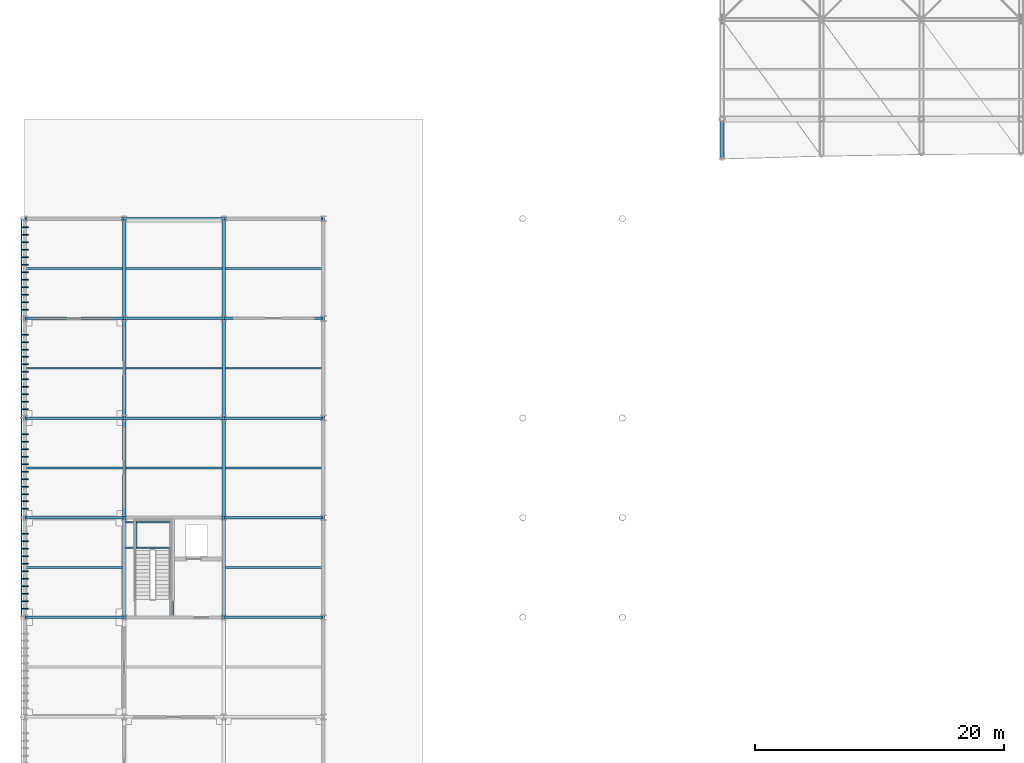
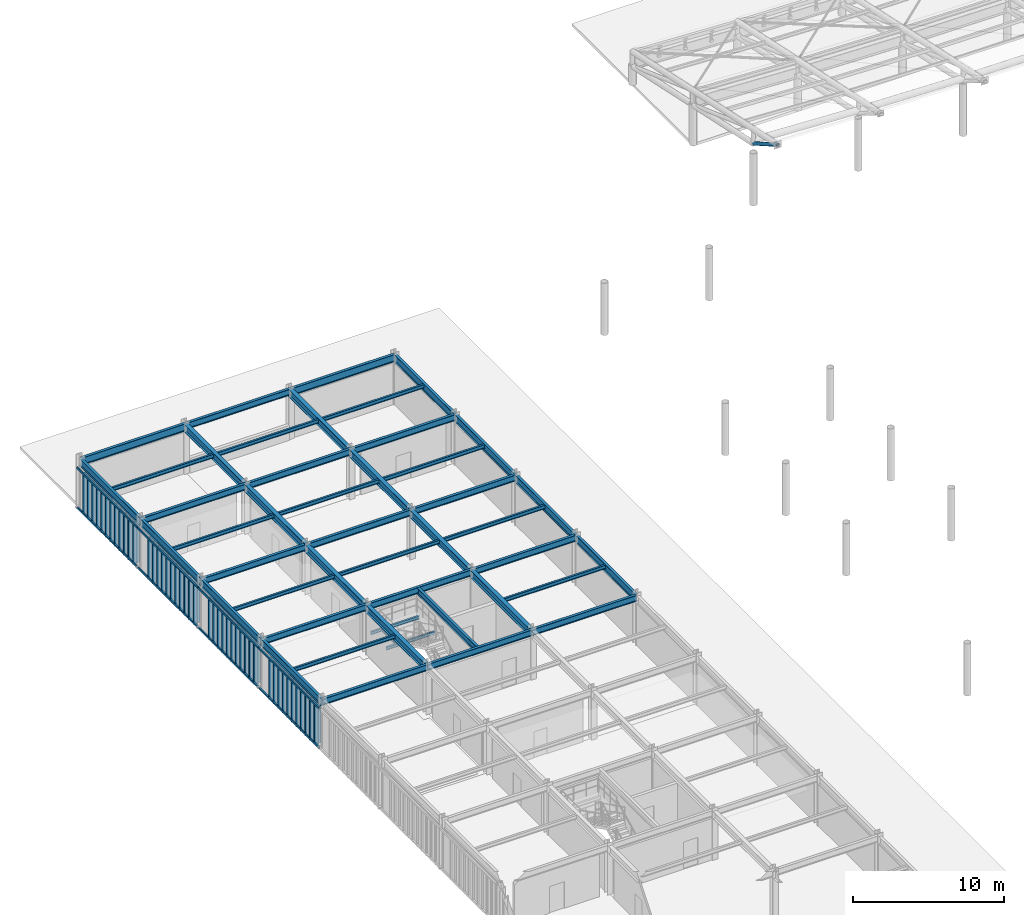
# One storey, part 14 of 54: 54 members, 46 beams.
"""IFC4 building model written with IfcOpenShell, lengths in metres."""

from ifc_helpers import new_model, si_unit, direction, frame, origin, origin_2d, place, context, subcontext, project, spatial, rectangle, hollow_rectangle, hollow_circle, i_section, extrude, material, material_profile, profile_set, type_object, element, save


model = new_model("IFC4")

# Units and contexts
model_context = context("Model", 3, precision=1e-05, world=origin(), true_north=direction((0.0, 1.0)))
body_context = subcontext(model_context, "Body", "Model", "MODEL_VIEW")
ifc_project = project(units=[si_unit("LENGTHUNIT", "METRE"), si_unit("AREAUNIT", "SQUARE_METRE"), si_unit("VOLUMEUNIT", "CUBIC_METRE"), si_unit("PLANEANGLEUNIT", "RADIAN"), si_unit("MASSUNIT", "GRAM", prefix="KILO")], contexts=[model_context])

# Site, building, storey
site_placement = place(None, origin())
site = spatial("IfcSite", under=ifc_project, at=site_placement, CompositionType="ELEMENT")
building_placement = place(site_placement, origin())
building = spatial("IfcBuilding", under=site, at=building_placement, Name="Haebicheon Civic Stadium", CompositionType="ELEMENT")
storey_placement = place(building_placement, frame((0.0, 0.0, 22.800048828125)))
storey = spatial("IfcBuildingStorey", under=building, at=storey_placement, Name="L06", CompositionType="ELEMENT", Elevation=22.800048828125)

# Beams
ifc_material_1 = material(Name="Steel SM355 (S355)", Category="steel")
ifc_material_profile_1 = material_profile(ifc_material_1, i_section(OverallWidth=0.199951171875, OverallDepth=0.5, WebThickness=0.010009765625, FlangeThickness=0.01611328125, at=origin_2d()), Name="H-500x200x10x16")
ifc_profile_set_1 = profile_set([ifc_material_profile_1], Name="Steel SM355 (S355)")
beam_type_1 = type_object("IfcBeamType", Name="BM-ST-H500", PredefinedType="BEAM", material=ifc_profile_set_1)
for number, where, z_axis, x_axis, name in (
    (1, (24.0, 104.0, 3.699951171875), (1.0, 0.0, 0.0), (0.0, 1.0, 0.0), "L06 beam P/4-5"),
    (2, (24.0, 112.0, 3.699951171875), (1.0, 0.0, 0.0), (0.0, 1.0, 0.0), "L06 beam Q/4-5"),
    (3, (24.0, 120.0, 3.699951171875), (1.0, 0.0, 0.0), (0.0, 1.0, 0.0), "L06 beam R/4-5"),
    (4, (24.0, 128.0, 3.72998046875), (1.0, 0.0, 0.0), (0.0, 1.0, 0.0), "L06 beam S/4-5"),
    (5, (32.0, 104.0, 3.699951171875), (1.0, 0.0, 0.0), (0.0, 1.0, 0.0), "L06 beam P/5-6"),
    (6, (32.0, 112.0, 3.699951171875), (1.0, 0.0, 0.0), (0.0, 1.0, 0.0), "L06 beam Q/5-6"),
    (7, (32.0, 120.0, 3.699951171875), (1.0, 0.0, 0.0), (0.0, 1.0, 0.0), "L06 beam R/5-6"),
    (8, (32.0, 128.0, 3.72998046875), (1.0, 0.0, 0.0), (0.0, 1.0, 0.0), "L06 beam S/5-6"),
    (9, (32.0, 136.0, 3.72998046875), (1.0, 0.0, 0.0), (0.0, 1.0, 0.0), "L06 beam T/5-6"),
    (10, (40.0, 104.0, 3.699951171875), (1.0, 0.0, 0.0), (0.0, 1.0, 0.0), "L06 beam P/6-7"),
    (11, (40.0, 112.0, 3.699951171875), (1.0, 0.0, 0.0), (0.0, 1.0, 0.0), "L06 beam Q/6-7"),
    (12, (40.0, 120.0, 3.699951171875), (1.0, 0.0, 0.0), (0.0, 1.0, 0.0), "L06 beam R/6-7"),
    (13, (40.0, 128.0, 3.72998046875), (1.0, 0.0, 0.0), (0.0, 1.0, 0.0), "L06 beam S/6-7"),
):
    element("IfcBeam", number, at=place(storey_placement, frame(where, z_axis=z_axis, x_axis=x_axis)), inside=storey, type_object=beam_type_1, material=ifc_profile_set_1, Name=name, PredefinedType="BEAM", context=body_context, shape_type="SweptSolid", body=[
        extrude(i_section(OverallWidth=0.199951171875, OverallDepth=0.5, WebThickness=0.010009765625, FlangeThickness=0.01611328125, at=origin_2d()), origin(), (0.0, 0.0, 1.0), 8.0),
    ])
beam_1_placement = place(storey_placement, frame((35.8798828125, 104.10009765625, 3.699951171875), z_axis=(0.0, 1.0, 0.0), x_axis=(-1.0, 0.0, 0.0)))
element("IfcBeam", 14, at=beam_1_placement, inside=storey, type_object=beam_type_1, material=ifc_profile_set_1, Name="L06 KC-04 core dividing wall support beam", PredefinedType="BEAM", context=body_context, shape_type="SweptSolid", body=[
    extrude(i_section(OverallWidth=0.199951171875, OverallDepth=0.5, WebThickness=0.010009765625, FlangeThickness=0.01611328125, at=origin_2d()), origin(), (0.0, 0.0, 1.0), 7.7998046875),
])
ifc_material_2 = material(Name="Steel SM355 (S355)", Category="steel")
ifc_material_profile_2 = material_profile(ifc_material_2, i_section(OverallWidth=0.300048828125, OverallDepth=0.60009765625, WebThickness=0.011962890625, FlangeThickness=0.02001953125, at=origin_2d()), Name="H-600x300x12x20")
ifc_profile_set_2 = profile_set([ifc_material_profile_2], Name="Steel SM355 (S355)")
beam_type_2 = type_object("IfcBeamType", Name="BM-ST-H600A", PredefinedType="BEAM", material=ifc_profile_set_2)
for number, where, z_axis, x_axis, name in (
    (15, (32.0, 104.0, 3.64990234375), (0.0, 1.0, 0.0), (-1.0, 0.0, 0.0), "L06 girder 5/P-Q"),
    (16, (32.0, 112.0, 3.64990234375), (0.0, 1.0, 0.0), (-1.0, 0.0, 0.0), "L06 girder 5/Q-R"),
    (17, (32.0, 120.0, 3.679931640625), (0.0, 1.0, 0.0), (-1.0, 0.0, 0.0), "L06 girder 5/R-S"),
    (18, (32.0, 128.0, 3.679931640625), (0.0, 1.0, 0.0), (-1.0, 0.0, 0.0), "L06 girder 5/S-T"),
    (19, (40.0, 104.0, 3.64990234375), (0.0, 1.0, 0.0), (-1.0, 0.0, 0.0), "L06 girder 6/P-Q"),
    (20, (40.0, 112.0, 3.64990234375), (0.0, 1.0, 0.0), (-1.0, 0.0, 0.0), "L06 girder 6/Q-R"),
    (21, (40.0, 120.0, 3.679931640625), (0.0, 1.0, 0.0), (-1.0, 0.0, 0.0), "L06 girder 6/R-S"),
    (22, (40.0, 128.0, 3.679931640625), (0.0, 1.0, 0.0), (-1.0, 0.0, 0.0), "L06 girder 6/S-T"),
):
    element("IfcBeam", number, at=place(storey_placement, frame(where, z_axis=z_axis, x_axis=x_axis)), inside=storey, type_object=beam_type_2, material=ifc_profile_set_2, Name=name, PredefinedType="BEAM", context=body_context, shape_type="SweptSolid", body=[
        extrude(i_section(OverallWidth=0.300048828125, OverallDepth=0.60009765625, WebThickness=0.011962890625, FlangeThickness=0.02001953125, at=origin_2d()), origin(), (0.0, 0.0, 1.0), 8.0),
    ])

# Member
ifc_material_3 = material(Name="White painted steel SM490", Category="steel")
ifc_material_profile_3 = material_profile(ifc_material_3, hollow_circle(Radius=0.1337890625, WallThickness=0.011962890625, at=origin_2d()), Name="CHS-267.4x12.0")
ifc_profile_set_3 = profile_set([ifc_material_profile_3], Name="White painted steel SM490")
member_type_1 = type_object("IfcMemberType", Name="BRC-CHS267", PredefinedType="BRACE", material=ifc_profile_set_3)
member_placement = place(storey_placement, frame((80.0, 143.87890625, 4.947021484375), z_axis=(0.0, -0.867212955161, 0.497937436232), x_axis=(1.0, 0.0, 0.0)))
element("IfcMember", 23, at=member_placement, inside=storey, type_object=member_type_1, material=ifc_profile_set_3, Name="BR267 diagonal brace CAN-NORTH truss 1 tip", PredefinedType="BRACE", context=body_context, shape_type="SweptSolid", body=[
    extrude(hollow_circle(Radius=0.1337890625, WallThickness=0.011962890625, at=origin_2d()), origin(), (0.0, 0.0, 1.0), 3.55029296875),
])

# Beams
ifc_material_4 = material(Name="Steel SM355 (S355)", Category="steel")
ifc_material_profile_4 = material_profile(ifc_material_4, i_section(OverallWidth=0.125, OverallDepth=0.25, WebThickness=0.006103515625, FlangeThickness=0.009033203125, at=origin_2d()), Name="H-250x125x6x9")
ifc_profile_set_4 = profile_set([ifc_material_profile_4], Name="Steel SM355 (S355)")
beam_type_3 = type_object("IfcBeamType", Name="JST-ST-H250", PredefinedType="JOIST", material=ifc_profile_set_4)
for number, where, z_axis, x_axis, name in (
    (24, (32.080078125, 109.570068359375, 1.77197265625), (1.0, 0.0, 0.0), (0.0, 1.0, 0.0), "KC-04 L06 stair half-landing front trimmer beam"),
    (25, (32.080078125, 111.6201171875, 1.77197265625), (1.0, 0.0, 0.0), (0.0, 1.0, 0.0), "KC-04 L06 stair half-landing rear trimmer beam"),
):
    element("IfcBeam", number, at=place(storey_placement, frame(where, z_axis=z_axis, x_axis=x_axis)), inside=storey, type_object=beam_type_3, material=ifc_profile_set_4, Name=name, PredefinedType="JOIST", context=body_context, shape_type="SweptSolid", body=[
        extrude(i_section(OverallWidth=0.125, OverallDepth=0.25, WebThickness=0.006103515625, FlangeThickness=0.009033203125, at=origin_2d()), origin(), (0.0, 0.0, 1.0), 3.719970703125),
    ])
beam_2_placement = place(storey_placement, frame((32.9599609375, 109.570068359375, 1.77197265625), z_axis=(0.0, 1.0, 0.0), x_axis=(-1.0, 0.0, 0.0)))
element("IfcBeam", 26, at=beam_2_placement, inside=storey, type_object=beam_type_3, material=ifc_profile_set_4, Name="KC-04 L06 stair half-landing transverse tie beam", PredefinedType="JOIST", context=body_context, shape_type="SweptSolid", body=[
    extrude(i_section(OverallWidth=0.125, OverallDepth=0.25, WebThickness=0.006103515625, FlangeThickness=0.009033203125, at=origin_2d()), origin(), (0.0, 0.0, 1.0), 2.050048828125),
])
ifc_material_5 = material(Name="Steel SM355 (S355)", Category="steel")
ifc_material_profile_5 = material_profile(ifc_material_5, i_section(OverallWidth=0.14990234375, OverallDepth=0.300048828125, WebThickness=0.006591796875, FlangeThickness=0.009033203125, at=origin_2d()), Name="H-300x150x6.5x9")
ifc_profile_set_5 = profile_set([ifc_material_profile_5], Name="Steel SM355 (S355)")
beam_type_4 = type_object("IfcBeamType", Name="JST-ST-H300", PredefinedType="JOIST", material=ifc_profile_set_5)
for number, where, z_axis, x_axis, name in (
    (27, (24.10009765625, 108.0, 3.800048828125), (1.0, 0.0, 0.0), (0.0, 1.0, 0.0), "L06 secondary joist 03-13"),
    (28, (24.10009765625, 116.0, 3.800048828125), (1.0, 0.0, 0.0), (0.0, 1.0, 0.0), "L06 secondary joist 03-14"),
    (29, (24.10009765625, 124.0, 3.829833984375), (1.0, 0.0, 0.0), (0.0, 1.0, 0.0), "L06 secondary joist 03-15"),
    (30, (24.10009765625, 132.0, 3.829833984375), (1.0, 0.0, 0.0), (0.0, 1.0, 0.0), "L06 secondary joist 03-16"),
):
    element("IfcBeam", number, at=place(storey_placement, frame(where, z_axis=z_axis, x_axis=x_axis)), inside=storey, type_object=beam_type_4, material=ifc_profile_set_5, Name=name, PredefinedType="JOIST", context=body_context, shape_type="SweptSolid", body=[
        extrude(i_section(OverallWidth=0.14990234375, OverallDepth=0.300048828125, WebThickness=0.006591796875, FlangeThickness=0.009033203125, at=origin_2d()), origin(), (0.0, 0.0, 1.0), 7.75),
    ])
for number, where, z_axis, x_axis, name in (
    (31, (32.14990234375, 116.0, 3.800048828125), (1.0, 0.0, 0.0), (0.0, 1.0, 0.0), "L06 secondary joist 04-14"),
    (32, (32.14990234375, 124.0, 3.829833984375), (1.0, 0.0, 0.0), (0.0, 1.0, 0.0), "L06 secondary joist 04-15"),
    (33, (32.14990234375, 132.0, 3.829833984375), (1.0, 0.0, 0.0), (0.0, 1.0, 0.0), "L06 secondary joist 04-16"),
):
    element("IfcBeam", number, at=place(storey_placement, frame(where, z_axis=z_axis, x_axis=x_axis)), inside=storey, type_object=beam_type_4, material=ifc_profile_set_5, Name=name, PredefinedType="JOIST", context=body_context, shape_type="SweptSolid", body=[
        extrude(i_section(OverallWidth=0.14990234375, OverallDepth=0.300048828125, WebThickness=0.006591796875, FlangeThickness=0.009033203125, at=origin_2d()), origin(), (0.0, 0.0, 1.0), 7.7001953125),
    ])
for number, where, z_axis, x_axis, name in (
    (34, (40.14990234375, 108.0, 3.800048828125), (1.0, 0.0, 0.0), (0.0, 1.0, 0.0), "L06 secondary joist 05-13"),
    (35, (40.14990234375, 116.0, 3.800048828125), (1.0, 0.0, 0.0), (0.0, 1.0, 0.0), "L06 secondary joist 05-14"),
    (36, (40.14990234375, 124.0, 3.829833984375), (1.0, 0.0, 0.0), (0.0, 1.0, 0.0), "L06 secondary joist 05-15"),
    (37, (40.14990234375, 132.0, 3.829833984375), (1.0, 0.0, 0.0), (0.0, 1.0, 0.0), "L06 secondary joist 05-16"),
):
    element("IfcBeam", number, at=place(storey_placement, frame(where, z_axis=z_axis, x_axis=x_axis)), inside=storey, type_object=beam_type_4, material=ifc_profile_set_5, Name=name, PredefinedType="JOIST", context=body_context, shape_type="SweptSolid", body=[
        extrude(i_section(OverallWidth=0.14990234375, OverallDepth=0.300048828125, WebThickness=0.006591796875, FlangeThickness=0.009033203125, at=origin_2d()), origin(), (0.0, 0.0, 1.0), 7.75),
    ])

# Members
ifc_material_6 = material(Name="Acetylated timber GL28h", Category="wood")
ifc_material_profile_6 = material_profile(ifc_material_6, rectangle(XDim=0.080078125, YDim=0.52001953125, at=origin_2d()), Name="TMB-LOUV-80x520")
ifc_profile_set_6 = profile_set([ifc_material_profile_6], Name="Acetylated timber GL28h")
member_type_2 = type_object("IfcMemberType", Name="LVR-TIM-520x80", PredefinedType="PLATE", material=ifc_profile_set_6)
for number, where, z_axis, x_axis, name in (
    (38, (24.02001953125, 104.699951171875, -0.1201171875), (0.0, 0.0, 1.0), (0.0, 1.0, 0.0), "SCR-WEST L06 acetylated timber storm louvre fin 8.1"),
    (39, (24.02001953125, 105.300048828125, -0.1201171875), (0.0, 0.0, 1.0), (0.0, 1.0, 0.0), "SCR-WEST L06 acetylated timber storm louvre fin 8.2"),
    (40, (24.02001953125, 105.89990234375, -0.1201171875), (0.0, 0.0, 1.0), (0.0, 1.0, 0.0), "SCR-WEST L06 acetylated timber storm louvre fin 8.3"),
    (41, (24.02001953125, 106.5, -0.1201171875), (0.0, 0.0, 1.0), (0.0, 1.0, 0.0), "SCR-WEST L06 acetylated timber storm louvre fin 8.4"),
    (42, (24.02001953125, 107.10009765625, -0.1201171875), (0.0, 0.0, 1.0), (0.0, 1.0, 0.0), "SCR-WEST L06 acetylated timber storm louvre fin 8.5"),
    (43, (24.02001953125, 107.699951171875, -0.1201171875), (0.0, 0.0, 1.0), (0.0, 1.0, 0.0), "SCR-WEST L06 acetylated timber storm louvre fin 8.6"),
    (44, (24.02001953125, 108.300048828125, -0.1201171875), (0.0, 0.0, 1.0), (0.0, 1.0, 0.0), "SCR-WEST L06 acetylated timber storm louvre fin 8.7"),
    (45, (24.02001953125, 108.89990234375, -0.1201171875), (0.0, 0.0, 1.0), (0.0, 1.0, 0.0), "SCR-WEST L06 acetylated timber storm louvre fin 8.8"),
    (46, (24.02001953125, 109.5, -0.1201171875), (0.0, 0.0, 1.0), (0.0, 1.0, 0.0), "SCR-WEST L06 acetylated timber storm louvre fin 8.9"),
    (47, (24.02001953125, 110.10009765625, -0.1201171875), (0.0, 0.0, 1.0), (0.0, 1.0, 0.0), "SCR-WEST L06 acetylated timber storm louvre fin 8.10"),
    (48, (24.02001953125, 110.699951171875, -0.1201171875), (0.0, 0.0, 1.0), (0.0, 1.0, 0.0), "SCR-WEST L06 acetylated timber storm louvre fin 8.11"),
    (49, (24.02001953125, 112.699951171875, -0.1201171875), (0.0, 0.0, 1.0), (0.0, 1.0, 0.0), "SCR-WEST L06 acetylated timber storm louvre fin 9.1"),
    (50, (24.02001953125, 113.300048828125, -0.1201171875), (0.0, 0.0, 1.0), (0.0, 1.0, 0.0), "SCR-WEST L06 acetylated timber storm louvre fin 9.2"),
    (51, (24.02001953125, 113.89990234375, -0.1201171875), (0.0, 0.0, 1.0), (0.0, 1.0, 0.0), "SCR-WEST L06 acetylated timber storm louvre fin 9.3"),
    (52, (24.02001953125, 114.5, -0.1201171875), (0.0, 0.0, 1.0), (0.0, 1.0, 0.0), "SCR-WEST L06 acetylated timber storm louvre fin 9.4"),
    (53, (24.02001953125, 115.10009765625, -0.1201171875), (0.0, 0.0, 1.0), (0.0, 1.0, 0.0), "SCR-WEST L06 acetylated timber storm louvre fin 9.5"),
    (54, (24.02001953125, 115.699951171875, -0.1201171875), (0.0, 0.0, 1.0), (0.0, 1.0, 0.0), "SCR-WEST L06 acetylated timber storm louvre fin 9.6"),
    (55, (24.02001953125, 116.300048828125, -0.1201171875), (0.0, 0.0, 1.0), (0.0, 1.0, 0.0), "SCR-WEST L06 acetylated timber storm louvre fin 9.7"),
    (56, (24.02001953125, 116.89990234375, -0.1201171875), (0.0, 0.0, 1.0), (0.0, 1.0, 0.0), "SCR-WEST L06 acetylated timber storm louvre fin 9.8"),
    (57, (24.02001953125, 117.5, -0.1201171875), (0.0, 0.0, 1.0), (0.0, 1.0, 0.0), "SCR-WEST L06 acetylated timber storm louvre fin 9.9"),
    (58, (24.02001953125, 118.10009765625, -0.1201171875), (0.0, 0.0, 1.0), (0.0, 1.0, 0.0), "SCR-WEST L06 acetylated timber storm louvre fin 9.10"),
    (59, (24.02001953125, 118.699951171875, -0.1201171875), (0.0, 0.0, 1.0), (0.0, 1.0, 0.0), "SCR-WEST L06 acetylated timber storm louvre fin 9.11"),
    (60, (24.02001953125, 120.699951171875, -0.1201171875), (0.0, 0.0, 1.0), (0.0, 1.0, 0.0), "SCR-WEST L06 acetylated timber storm louvre fin 10.1"),
    (61, (24.02001953125, 121.300048828125, -0.1201171875), (0.0, 0.0, 1.0), (0.0, 1.0, 0.0), "SCR-WEST L06 acetylated timber storm louvre fin 10.2"),
    (62, (24.02001953125, 121.89990234375, -0.1201171875), (0.0, 0.0, 1.0), (0.0, 1.0, 0.0), "SCR-WEST L06 acetylated timber storm louvre fin 10.3"),
    (63, (24.02001953125, 122.5, -0.1201171875), (0.0, 0.0, 1.0), (0.0, 1.0, 0.0), "SCR-WEST L06 acetylated timber storm louvre fin 10.4"),
    (64, (24.02001953125, 123.10009765625, -0.1201171875), (0.0, 0.0, 1.0), (0.0, 1.0, 0.0), "SCR-WEST L06 acetylated timber storm louvre fin 10.5"),
    (65, (24.02001953125, 123.699951171875, -0.1201171875), (0.0, 0.0, 1.0), (0.0, 1.0, 0.0), "SCR-WEST L06 acetylated timber storm louvre fin 10.6"),
    (66, (24.02001953125, 124.300048828125, -0.1201171875), (0.0, 0.0, 1.0), (0.0, 1.0, 0.0), "SCR-WEST L06 acetylated timber storm louvre fin 10.7"),
    (67, (24.02001953125, 124.89990234375, -0.1201171875), (0.0, 0.0, 1.0), (0.0, 1.0, 0.0), "SCR-WEST L06 acetylated timber storm louvre fin 10.8"),
    (68, (24.02001953125, 125.5, -0.1201171875), (0.0, 0.0, 1.0), (0.0, 1.0, 0.0), "SCR-WEST L06 acetylated timber storm louvre fin 10.9"),
    (69, (24.02001953125, 126.10009765625, -0.1201171875), (0.0, 0.0, 1.0), (0.0, 1.0, 0.0), "SCR-WEST L06 acetylated timber storm louvre fin 10.10"),
    (70, (24.02001953125, 126.699951171875, -0.1201171875), (0.0, 0.0, 1.0), (0.0, 1.0, 0.0), "SCR-WEST L06 acetylated timber storm louvre fin 10.11"),
    (71, (24.02001953125, 128.699951171875, -0.1201171875), (0.0, 0.0, 1.0), (0.0, 1.0, 0.0), "SCR-WEST L06 acetylated timber storm louvre fin 11.1"),
    (72, (24.02001953125, 129.300048828125, -0.1201171875), (0.0, 0.0, 1.0), (0.0, 1.0, 0.0), "SCR-WEST L06 acetylated timber storm louvre fin 11.2"),
    (73, (24.02001953125, 129.89990234375, -0.1201171875), (0.0, 0.0, 1.0), (0.0, 1.0, 0.0), "SCR-WEST L06 acetylated timber storm louvre fin 11.3"),
    (74, (24.02001953125, 130.5, -0.1201171875), (0.0, 0.0, 1.0), (0.0, 1.0, 0.0), "SCR-WEST L06 acetylated timber storm louvre fin 11.4"),
    (75, (24.02001953125, 131.10009765625, -0.1201171875), (0.0, 0.0, 1.0), (0.0, 1.0, 0.0), "SCR-WEST L06 acetylated timber storm louvre fin 11.5"),
    (76, (24.02001953125, 131.699951171875, -0.1201171875), (0.0, 0.0, 1.0), (0.0, 1.0, 0.0), "SCR-WEST L06 acetylated timber storm louvre fin 11.6"),
    (77, (24.02001953125, 132.300048828125, -0.1201171875), (0.0, 0.0, 1.0), (0.0, 1.0, 0.0), "SCR-WEST L06 acetylated timber storm louvre fin 11.7"),
    (78, (24.02001953125, 132.89990234375, -0.1201171875), (0.0, 0.0, 1.0), (0.0, 1.0, 0.0), "SCR-WEST L06 acetylated timber storm louvre fin 11.8"),
    (79, (24.02001953125, 133.5, -0.1201171875), (0.0, 0.0, 1.0), (0.0, 1.0, 0.0), "SCR-WEST L06 acetylated timber storm louvre fin 11.9"),
    (80, (24.02001953125, 134.10009765625, -0.1201171875), (0.0, 0.0, 1.0), (0.0, 1.0, 0.0), "SCR-WEST L06 acetylated timber storm louvre fin 11.10"),
    (81, (24.02001953125, 134.699951171875, -0.1201171875), (0.0, 0.0, 1.0), (0.0, 1.0, 0.0), "SCR-WEST L06 acetylated timber storm louvre fin 11.11"),
    (82, (24.02001953125, 135.300048828125, -0.1201171875), (0.0, 0.0, 1.0), (0.0, 1.0, 0.0), "SCR-WEST L06 acetylated timber storm louvre fin 11.12"),
):
    element("IfcMember", number, at=place(storey_placement, frame(where, z_axis=z_axis, x_axis=x_axis)), inside=storey, type_object=member_type_2, material=ifc_profile_set_6, Name=name, PredefinedType="PLATE", context=body_context, shape_type="SweptSolid", body=[
        extrude(rectangle(XDim=0.080078125, YDim=0.52001953125, at=origin_2d()), origin(), (0.0, 0.0, 1.0), 3.3701171875),
    ])

# Beams
ifc_material_7 = material(Name="Steel SM355 (S355)", Category="steel")
ifc_material_profile_7 = material_profile(ifc_material_7, i_section(OverallWidth=0.199951171875, OverallDepth=0.60009765625, WebThickness=0.010986328125, FlangeThickness=0.01708984375, at=origin_2d()), Name="H-600x200x11x17")
ifc_profile_set_7 = profile_set([ifc_material_profile_7], Name="Steel SM355 (S355)")
beam_type_5 = type_object("IfcBeamType", Name="SPD-ST-H600B", PredefinedType="SPANDREL", material=ifc_profile_set_7)
for number, where, z_axis, x_axis, name in (
    (83, (24.0, 104.0, 3.64990234375), (0.0, 1.0, 0.0), (-1.0, 0.0, 0.0), "L06 girder 4/P-Q"),
    (84, (24.0, 112.0, 3.64990234375), (0.0, 1.0, 0.0), (-1.0, 0.0, 0.0), "L06 girder 4/Q-R"),
    (85, (24.0, 120.0, 3.679931640625), (0.0, 1.0, 0.0), (-1.0, 0.0, 0.0), "L06 girder 4/R-S"),
    (86, (24.0, 128.0, 3.679931640625), (0.0, 1.0, 0.0), (-1.0, 0.0, 0.0), "L06 girder 4/S-T"),
    (87, (48.0, 104.0, 3.64990234375), (0.0, 1.0, 0.0), (-1.0, 0.0, 0.0), "L06 girder 7/P-Q"),
    (88, (48.0, 112.0, 3.64990234375), (0.0, 1.0, 0.0), (-1.0, 0.0, 0.0), "L06 girder 7/Q-R"),
    (89, (48.0, 120.0, 3.679931640625), (0.0, 1.0, 0.0), (-1.0, 0.0, 0.0), "L06 girder 7/R-S"),
    (90, (48.0, 128.0, 3.679931640625), (0.0, 1.0, 0.0), (-1.0, 0.0, 0.0), "L06 girder 7/S-T"),
    (91, (24.0, 136.0, 3.679931640625), (1.0, 0.0, 0.0), (0.0, 1.0, 0.0), "L06 beam T/4-5"),
    (92, (40.0, 136.0, 3.679931640625), (1.0, 0.0, 0.0), (0.0, 1.0, 0.0), "L06 beam T/6-7"),
):
    element("IfcBeam", number, at=place(storey_placement, frame(where, z_axis=z_axis, x_axis=x_axis)), inside=storey, type_object=beam_type_5, material=ifc_profile_set_7, Name=name, PredefinedType="SPANDREL", context=body_context, shape_type="SweptSolid", body=[
        extrude(i_section(OverallWidth=0.199951171875, OverallDepth=0.60009765625, WebThickness=0.010986328125, FlangeThickness=0.01708984375, at=origin_2d()), origin(), (0.0, 0.0, 1.0), 8.0),
    ])

# Members
ifc_material_8 = material(Name="Steel SM355 (S355)", Category="steel")
ifc_material_profile_8 = material_profile(ifc_material_8, hollow_rectangle(XDim=0.10009765625, YDim=0.14990234375, WallThickness=0.006103515625, at=origin_2d()), Name="RHS-150x100x6.0")
ifc_profile_set_8 = profile_set([ifc_material_profile_8], Name="Steel SM355 (S355)")
member_type_3 = type_object("IfcMemberType", Name="SUB-RHS150", PredefinedType="STRINGER", material=ifc_profile_set_8)
for number, where, z_axis, x_axis, name in (
    (93, (23.756103515625, 104.0, 0.06005859375), (0.0, 1.0, 0.0), (-1.0, 0.0, 0.0), "SCR-WEST L06 storm-louvre bottom carrier rail 8"),
    (94, (23.756103515625, 104.0, 3.25), (0.0, 1.0, 0.0), (-1.0, 0.0, 0.0), "SCR-WEST L06 storm-louvre top carrier rail 8"),
    (95, (23.756103515625, 112.0, 0.06005859375), (0.0, 1.0, 0.0), (-1.0, 0.0, 0.0), "SCR-WEST L06 storm-louvre bottom carrier rail 9"),
    (96, (23.756103515625, 112.0, 3.25), (0.0, 1.0, 0.0), (-1.0, 0.0, 0.0), "SCR-WEST L06 storm-louvre top carrier rail 9"),
    (97, (23.756103515625, 120.0, 0.06005859375), (0.0, 1.0, 0.0), (-1.0, 0.0, 0.0), "SCR-WEST L06 storm-louvre bottom carrier rail 10"),
    (98, (23.756103515625, 120.0, 3.25), (0.0, 1.0, 0.0), (-1.0, 0.0, 0.0), "SCR-WEST L06 storm-louvre top carrier rail 10"),
    (99, (23.756103515625, 128.0, 0.06005859375), (0.0, 1.0, 0.0), (-1.0, 0.0, 0.0), "SCR-WEST L06 storm-louvre bottom carrier rail 11"),
    (100, (23.756103515625, 128.0, 3.25), (0.0, 1.0, 0.0), (-1.0, 0.0, 0.0), "SCR-WEST L06 storm-louvre top carrier rail 11"),
):
    element("IfcMember", number, at=place(storey_placement, frame(where, z_axis=z_axis, x_axis=x_axis)), inside=storey, type_object=member_type_3, material=ifc_profile_set_8, Name=name, PredefinedType="STRINGER", context=body_context, shape_type="SweptSolid", body=[
        extrude(hollow_rectangle(XDim=0.10009765625, YDim=0.14990234375, WallThickness=0.006103515625, at=origin_2d()), origin(), (0.0, 0.0, 1.0), 8.0),
    ])

save(model, "model.ifc")
